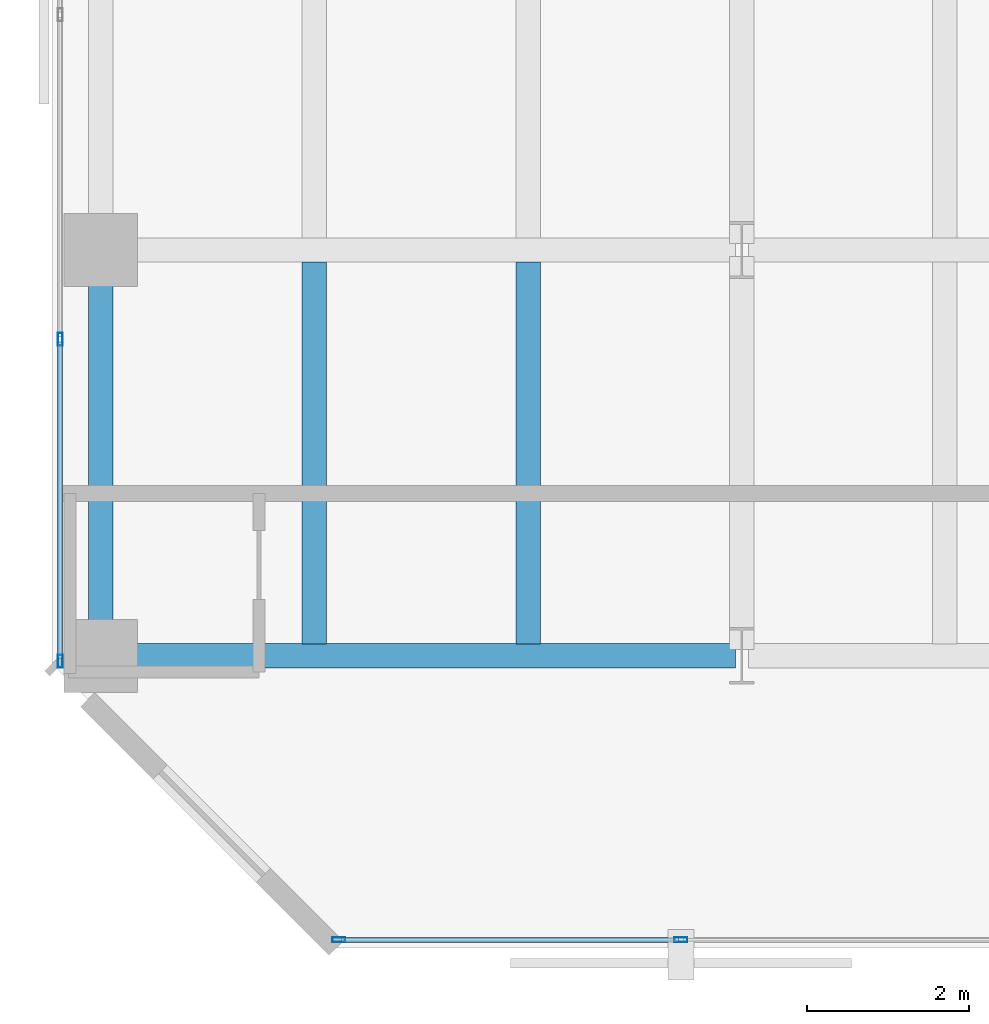
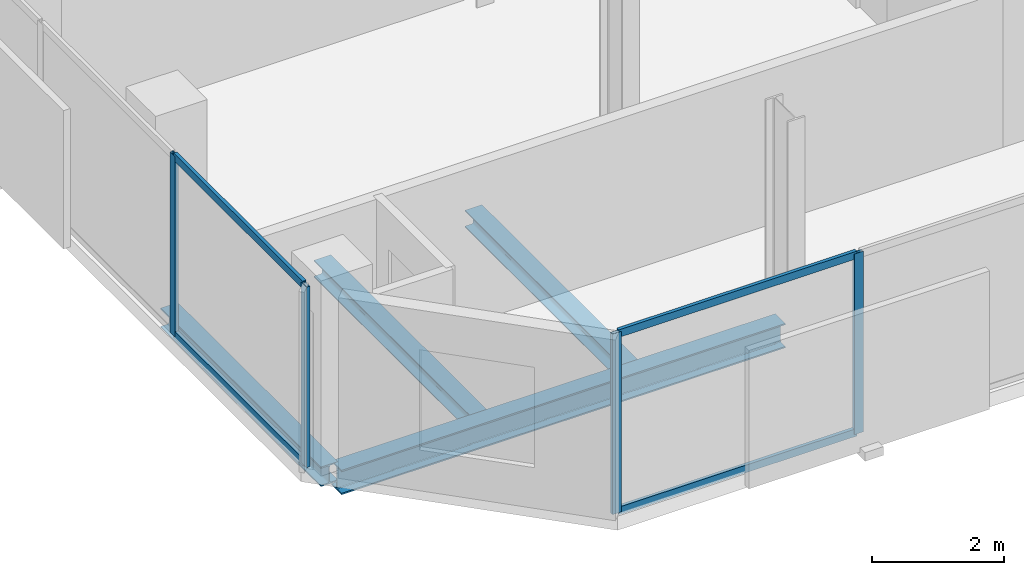
# One storey, part 3 of 33: 8 members, 4 beams, 2 elements without a shape of their own.
"""IFC4 building model written with IfcOpenShell, lengths in metres."""

from ifc_helpers import new_model, si_unit, direction, frame, origin, origin_2d, place, context, subcontext, project, spatial, hollow_rectangle, i_section, extrude, material, layer, layer_set, material_profile, profile_set, type_object, element, aggregate, save


model = new_model("IFC4")

# Units and contexts
model_context = context("Model", 3, precision=1e-05, world=origin(), true_north=direction((0.0, 1.0)))
body_context = subcontext(model_context, "Body", "Model", "MODEL_VIEW")
ifc_project = project(units=[si_unit("LENGTHUNIT", "METRE"), si_unit("AREAUNIT", "SQUARE_METRE"), si_unit("VOLUMEUNIT", "CUBIC_METRE"), si_unit("PLANEANGLEUNIT", "RADIAN"), si_unit("MASSUNIT", "GRAM", prefix="KILO")], contexts=[model_context])

# Site, building, storey
site_placement = place(None, origin())
site = spatial("IfcSite", under=ifc_project, at=site_placement, CompositionType="ELEMENT")
building_placement = place(site_placement, origin())
building = spatial("IfcBuilding", under=site, at=building_placement, Name="Catumbela Crestline Tower", CompositionType="ELEMENT")
storey_placement = place(building_placement, frame((0.0, 0.0, 108.0)))
storey = spatial("IfcBuildingStorey", under=building, at=storey_placement, Name="L27", CompositionType="ELEMENT", Elevation=108.0)

# Beams
ifc_material_1 = material(Name="Structural steel S355J2", Category="steel")
ifc_material_profile_1 = material_profile(ifc_material_1, i_section(OverallWidth=0.3, OverallDepth=0.45, WebThickness=0.014, FlangeThickness=0.026, FilletRadius=0.027, at=origin_2d()), Name="HEB 450")
ifc_profile_set_1 = profile_set([ifc_material_profile_1], Name="Structural steel S355J2")
beam_type_1 = type_object("IfcBeamType", Name="BG-HEB450", PredefinedType="BEAM", material=ifc_profile_set_1)
beam_1_placement = place(storey_placement, frame((0.68, 8.6, -0.485), z_axis=(1.0, 0.0, 0.0), x_axis=(0.0, 1.0, 0.0)))
element("IfcBeam", 1, at=beam_1_placement, inside=storey, type_object=beam_type_1, Name="L27 Beam BM-L27-WEW43", PredefinedType="BEAM", context=body_context, shape_type="SweptSolid", body=[
    extrude(i_section(OverallWidth=0.3, OverallDepth=0.45, WebThickness=0.014, FlangeThickness=0.026, FilletRadius=0.027, at=origin_2d()), origin(), (0.0, 0.0, 1.0), 7.74),
])
ifc_material_profile_2 = material_profile(ifc_material_1, i_section(OverallWidth=0.3, OverallDepth=0.31, WebThickness=0.009, FlangeThickness=0.0155, FilletRadius=0.027, at=origin_2d()), Name="HEA 320")
ifc_profile_set_2 = profile_set([ifc_material_profile_2], Name="Structural steel S355J2")
beam_type_2 = type_object("IfcBeamType", Name="BJ-HEA320", PredefinedType="JOIST", material=ifc_profile_set_2)
for number, where, z_axis, x_axis, name in (
    (2, (3.233, 8.747, -0.415), (0.0, 1.0, 0.0), (-1.0, 0.0, 0.0), "L27 Joist JS-L27-WG63"),
    (3, (5.867, 8.747, -0.415), (0.0, 1.0, 0.0), (-1.0, 0.0, 0.0), "L27 Joist JS-L27-WG64"),
):
    element("IfcBeam", number, at=place(storey_placement, frame(where, z_axis=z_axis, x_axis=x_axis)), inside=storey, type_object=beam_type_2, Name=name, PredefinedType="JOIST", context=body_context, shape_type="SweptSolid", body=[
        extrude(i_section(OverallWidth=0.3, OverallDepth=0.31, WebThickness=0.009, FlangeThickness=0.0155, FilletRadius=0.027, at=origin_2d()), origin(), (0.0, 0.0, 1.0), 4.706),
    ])

# Curtain wall, members
ifc_material_2 = material(Name="Aluminium alloy AW-6060-T66", Category="aluminium")
ifc_layer = layer(ifc_material_2, 0.18, Name="Aluminium alloy AW-6060-T66")
ifc_layer_set = layer_set([ifc_layer], Name="Aluminium alloy AW-6060-T66")
curtain_wall_type = type_object("IfcCurtainWallType", Name="CWU-Z2", PredefinedType="USERDEFINED", material=ifc_layer_set)
curtain_wall_1_placement = place(storey_placement, origin())
curtain_wall_1 = element("IfcCurtainWall", 4, at=curtain_wall_1_placement, inside=storey, type_object=curtain_wall_type, Name="L27 Unitised Curtain Wall CW-L27-E0S1", ObjectType="UNITISED", PredefinedType="USERDEFINED")
ifc_material_profile_3 = material_profile(ifc_material_2, hollow_rectangle(XDim=0.06, YDim=0.16, WallThickness=0.004, at=origin_2d()), Name="ALU 160x60x4")
ifc_profile_set_3 = profile_set([ifc_material_profile_3], Name="Aluminium alloy AW-6060-T66")
member_type_1 = type_object("IfcMemberType", Name="MUL-160X60", PredefinedType="MULLION", material=ifc_profile_set_3)
member_1_placement = place(storey_placement, frame((3.5325, 5.1, 0.0), z_axis=(0.0, 0.0, 1.0), x_axis=(0.0, 1.0, 0.0)))
member_1 = element("IfcMember", 5, at=member_1_placement, type_object=member_type_1, Name="CWU-Z2 mullion 1", PredefinedType="MULLION", context=body_context, shape_type="SweptSolid", body=[
    extrude(hollow_rectangle(XDim=0.06, YDim=0.16, WallThickness=0.004, at=origin_2d()), origin(), (0.0, 0.0, 1.0), 3.33),
])
member_2_placement = place(storey_placement, frame((7.75, 5.1, 0.0), z_axis=(0.0, 0.0, 1.0), x_axis=(0.0, 1.0, 0.0)))
member_2 = element("IfcMember", 6, at=member_2_placement, type_object=member_type_1, Name="CWU-Z2 mullion 2", PredefinedType="MULLION", context=body_context, shape_type="SweptSolid", body=[
    extrude(hollow_rectangle(XDim=0.06, YDim=0.16, WallThickness=0.004, at=origin_2d()), origin(), (0.0, 0.0, 1.0), 3.33),
])

curtain_wall_2_placement = place(storey_placement, origin())
curtain_wall_2 = element("IfcCurtainWall", 7, at=curtain_wall_2_placement, inside=storey, type_object=curtain_wall_type, Name="L27 Unitised Curtain Wall CW-L27-E9S1", ObjectType="UNITISED", PredefinedType="USERDEFINED")
member_3_placement = place(storey_placement, frame((0.1, 12.5, 0.0), z_axis=(0.0, 0.0, 1.0), x_axis=(1.0, 0.0, 0.0)))
member_3 = element("IfcMember", 8, at=member_3_placement, type_object=member_type_1, Name="CWU-Z2 mullion 9", PredefinedType="MULLION", context=body_context, shape_type="SweptSolid", body=[
    extrude(hollow_rectangle(XDim=0.06, YDim=0.16, WallThickness=0.004, at=origin_2d()), origin(), (0.0, 0.0, 1.0), 3.33),
])
member_4_placement = place(storey_placement, frame((0.1, 8.5325, 0.0), z_axis=(0.0, 0.0, 1.0), x_axis=(1.0, 0.0, 0.0)))
member_4 = element("IfcMember", 9, at=member_4_placement, type_object=member_type_1, Name="CWU-Z2 mullion 10", PredefinedType="MULLION", context=body_context, shape_type="SweptSolid", body=[
    extrude(hollow_rectangle(XDim=0.06, YDim=0.16, WallThickness=0.004, at=origin_2d()), origin(), (0.0, 0.0, 1.0), 3.33),
])

# Beam
ifc_material_profile_4 = material_profile(ifc_material_1, i_section(OverallWidth=0.3, OverallDepth=0.36, WebThickness=0.0125, FlangeThickness=0.0225, FilletRadius=0.027, at=origin_2d()), Name="HEB 360")
ifc_profile_set_4 = profile_set([ifc_material_profile_4], Name="Structural steel S355J2")
beam_type_3 = type_object("IfcBeamType", Name="BS-HEB360", PredefinedType="SPANDREL", material=ifc_profile_set_4)
beam_2_placement = place(storey_placement, frame((0.6, 8.68, -0.44), z_axis=(0.0, 1.0, 0.0), x_axis=(-1.0, 0.0, 0.0)))
element("IfcBeam", 10, at=beam_2_placement, inside=storey, type_object=beam_type_3, Name="L27 Spandrel SP-L27-WNS52", PredefinedType="SPANDREL", context=body_context, shape_type="SweptSolid", body=[
    extrude(i_section(OverallWidth=0.3, OverallDepth=0.36, WebThickness=0.0125, FlangeThickness=0.0225, FilletRadius=0.027, at=origin_2d()), origin(), (0.0, 0.0, 1.0), 4.84),
])

# Member
ifc_material_profile_5 = material_profile(ifc_material_2, hollow_rectangle(XDim=0.06, YDim=0.14, WallThickness=0.004, at=origin_2d()), Name="ALU 140x60x4")
ifc_profile_set_5 = profile_set([ifc_material_profile_5], Name="Aluminium alloy AW-6060-T66")
member_type_2 = type_object("IfcMemberType", Name="TRN-140X60", PredefinedType="USERDEFINED", material=ifc_profile_set_5)
member_5_placement = place(storey_placement, frame((3.565, 5.1, 0.03), z_axis=(1.0, 0.0, 0.0), x_axis=(0.0, 1.0, 0.0)))
member_5 = element("IfcMember", 11, at=member_5_placement, type_object=member_type_2, Name="CWU-Z2 transom 1.1", ObjectType="TRANSOM", PredefinedType="USERDEFINED", context=body_context, shape_type="SweptSolid", body=[
    extrude(hollow_rectangle(XDim=0.06, YDim=0.14, WallThickness=0.004, at=origin_2d()), origin(), (0.0, 0.0, 1.0), 4.1525),
])

member_6_placement = place(storey_placement, frame((3.565, 5.1, 3.3), z_axis=(1.0, 0.0, 0.0), x_axis=(0.0, 1.0, 0.0)))
member_6 = element("IfcMember", 12, at=member_6_placement, type_object=member_type_2, Name="CWU-Z2 transom 1.2", ObjectType="TRANSOM", PredefinedType="USERDEFINED", context=body_context, shape_type="SweptSolid", body=[
    extrude(hollow_rectangle(XDim=0.06, YDim=0.14, WallThickness=0.004, at=origin_2d()), origin(), (0.0, 0.0, 1.0), 4.1525),
])

aggregate(curtain_wall_1, [member_1, member_2, member_5, member_6])

member_7_placement = place(storey_placement, frame((0.1, 12.4675, 0.03), z_axis=(0.0, -1.0, 0.0), x_axis=(1.0, 0.0, 0.0)))
member_7 = element("IfcMember", 13, at=member_7_placement, type_object=member_type_2, Name="CWU-Z2 transom 9.1", ObjectType="TRANSOM", PredefinedType="USERDEFINED", context=body_context, shape_type="SweptSolid", body=[
    extrude(hollow_rectangle(XDim=0.06, YDim=0.14, WallThickness=0.004, at=origin_2d()), origin(), (0.0, 0.0, 1.0), 3.9025),
])

member_8_placement = place(storey_placement, frame((0.1, 12.4675, 3.3), z_axis=(0.0, -1.0, 0.0), x_axis=(1.0, 0.0, 0.0)))
member_8 = element("IfcMember", 14, at=member_8_placement, type_object=member_type_2, Name="CWU-Z2 transom 9.2", ObjectType="TRANSOM", PredefinedType="USERDEFINED", context=body_context, shape_type="SweptSolid", body=[
    extrude(hollow_rectangle(XDim=0.06, YDim=0.14, WallThickness=0.004, at=origin_2d()), origin(), (0.0, 0.0, 1.0), 3.9025),
])

aggregate(curtain_wall_2, [member_3, member_4, member_7, member_8])

save(model, "model.ifc")
